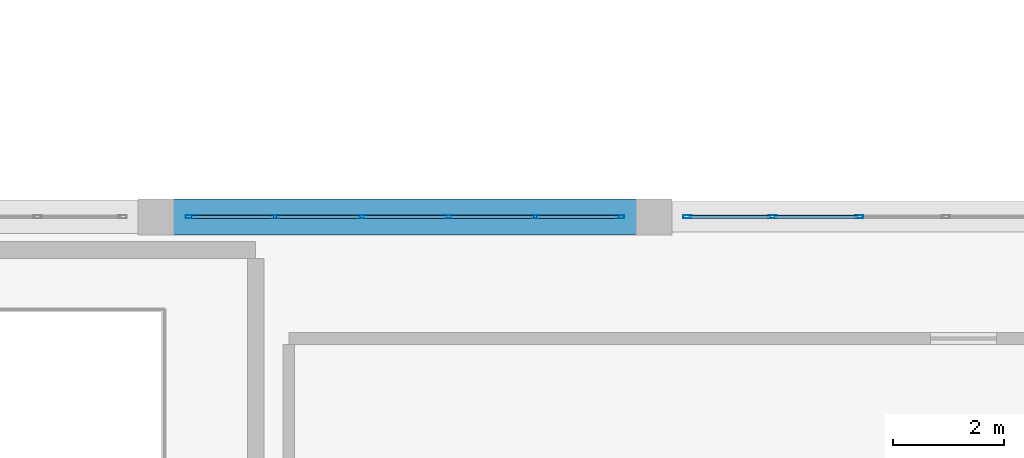
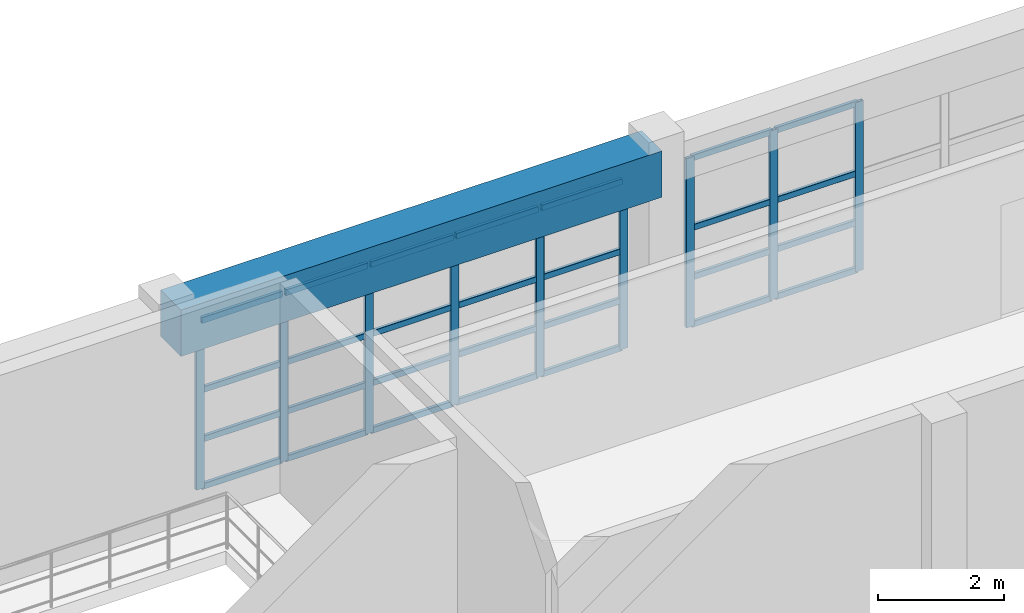
# One storey, part 22 of 130: 37 members, 1 beam, 2 elements without a shape of their own.
"""IFC4 building model written with IfcOpenShell, lengths in metres."""

from ifc_helpers import new_model, si_unit, direction, frame, origin, origin_2d, place, context, subcontext, project, spatial, rectangle, hollow_rectangle, extrude, material, material_profile, profile_set, type_object, element, aggregate, save


model = new_model("IFC4")

# Units and contexts
model_context = context("Model", 3, precision=1e-05, world=origin(), true_north=direction((0.0, 1.0)))
body_context = subcontext(model_context, "Body", "Model", "MODEL_VIEW")
ifc_project = project(units=[si_unit("LENGTHUNIT", "METRE"), si_unit("AREAUNIT", "SQUARE_METRE"), si_unit("VOLUMEUNIT", "CUBIC_METRE"), si_unit("PLANEANGLEUNIT", "RADIAN"), si_unit("MASSUNIT", "GRAM", prefix="KILO")], contexts=[model_context])

# Site, building, storey
site_placement = place(None, origin())
site = spatial("IfcSite", under=ifc_project, at=site_placement, CompositionType="ELEMENT")
building_placement = place(site_placement, origin())
building = spatial("IfcBuilding", under=site, at=building_placement, Name="Miravela Opera House", CompositionType="ELEMENT")
storey_placement = place(building_placement, frame((0.0, 0.0, 9.52001953125)))
storey = spatial("IfcBuildingStorey", under=building, at=storey_placement, Name="L02", CompositionType="ELEMENT", Elevation=9.52001953125)

# Curtain wall, members
ifc_material_1 = material(Name="Anodised architectural bronze aluminium 6063-T6", Category="aluminium")
curtain_wall_type = type_object("IfcCurtainWallType", Name="ARC-CW-06", PredefinedType="NOTDEFINED", material=ifc_material_1)
curtain_wall_1_placement = place(storey_placement, origin())
curtain_wall_1 = element("IfcCurtainWall", 1, at=curtain_wall_1_placement, inside=storey, type_object=curtain_wall_type, Name="Courtyard Arcade Curtain Wall CW-L02-139", PredefinedType="NOTDEFINED")
ifc_material_profile_1 = material_profile(ifc_material_1, hollow_rectangle(XDim=0.06005859375, YDim=0.14990234375, WallThickness=0.00390625, InnerFilletRadius=0.001953125, OuterFilletRadius=0.00390625, at=origin_2d()), Name="CWM-60X150")
ifc_profile_set_1 = profile_set([ifc_material_profile_1])
member_type_1 = type_object("IfcMemberType", Name="ARC-CWM-150", PredefinedType="MULLION", material=ifc_profile_set_1)
member_1_placement = place(storey_placement, frame((36.610107421875, 9.0, 0.0), z_axis=(0.0, 0.0, 1.0), x_axis=(0.0, 1.0, 0.0)))
member_1 = element("IfcMember", 2, at=member_1_placement, type_object=member_type_1, Name="CW-06 mullion 1", PredefinedType="MULLION", context=body_context, shape_type="SweptSolid", body=[
    extrude(hollow_rectangle(XDim=0.06005859375, YDim=0.14990234375, WallThickness=0.00390625, InnerFilletRadius=0.001953125, OuterFilletRadius=0.00390625, at=origin_2d()), origin(), (0.0, 0.0, 1.0), 3.2900390625),
])
member_2_placement = place(storey_placement, frame((38.14794921875, 9.0, 0.0), z_axis=(0.0, 0.0, 1.0), x_axis=(0.0, 1.0, 0.0)))
member_2 = element("IfcMember", 3, at=member_2_placement, type_object=member_type_1, Name="CW-06 mullion 2", PredefinedType="MULLION", context=body_context, shape_type="SweptSolid", body=[
    extrude(hollow_rectangle(XDim=0.06005859375, YDim=0.14990234375, WallThickness=0.00390625, InnerFilletRadius=0.001953125, OuterFilletRadius=0.00390625, at=origin_2d()), origin(), (0.0, 0.0, 1.0), 3.2900390625),
])
member_3_placement = place(storey_placement, frame((39.716064453125, 9.0, 0.0), z_axis=(0.0, 0.0, 1.0), x_axis=(0.0, 1.0, 0.0)))
member_3 = element("IfcMember", 4, at=member_3_placement, type_object=member_type_1, Name="CW-06 mullion 3", PredefinedType="MULLION", context=body_context, shape_type="SweptSolid", body=[
    extrude(hollow_rectangle(XDim=0.06005859375, YDim=0.14990234375, WallThickness=0.00390625, InnerFilletRadius=0.001953125, OuterFilletRadius=0.00390625, at=origin_2d()), origin(), (0.0, 0.0, 1.0), 3.2900390625),
])
member_4_placement = place(storey_placement, frame((41.283935546875, 9.0, 0.0), z_axis=(0.0, 0.0, 1.0), x_axis=(0.0, 1.0, 0.0)))
member_4 = element("IfcMember", 5, at=member_4_placement, type_object=member_type_1, Name="CW-06 mullion 4", PredefinedType="MULLION", context=body_context, shape_type="SweptSolid", body=[
    extrude(hollow_rectangle(XDim=0.06005859375, YDim=0.14990234375, WallThickness=0.00390625, InnerFilletRadius=0.001953125, OuterFilletRadius=0.00390625, at=origin_2d()), origin(), (0.0, 0.0, 1.0), 3.2900390625),
])
member_5_placement = place(storey_placement, frame((42.85205078125, 9.0, 0.0), z_axis=(0.0, 0.0, 1.0), x_axis=(0.0, 1.0, 0.0)))
member_5 = element("IfcMember", 6, at=member_5_placement, type_object=member_type_1, Name="CW-06 mullion 5", PredefinedType="MULLION", context=body_context, shape_type="SweptSolid", body=[
    extrude(hollow_rectangle(XDim=0.06005859375, YDim=0.14990234375, WallThickness=0.00390625, InnerFilletRadius=0.001953125, OuterFilletRadius=0.00390625, at=origin_2d()), origin(), (0.0, 0.0, 1.0), 3.2900390625),
])
member_6_placement = place(storey_placement, frame((44.389892578125, 9.0, 0.0), z_axis=(0.0, 0.0, 1.0), x_axis=(0.0, 1.0, 0.0)))
member_6 = element("IfcMember", 7, at=member_6_placement, type_object=member_type_1, Name="CW-06 mullion 6", PredefinedType="MULLION", context=body_context, shape_type="SweptSolid", body=[
    extrude(hollow_rectangle(XDim=0.06005859375, YDim=0.14990234375, WallThickness=0.00390625, InnerFilletRadius=0.001953125, OuterFilletRadius=0.00390625, at=origin_2d()), origin(), (0.0, 0.0, 1.0), 3.2900390625),
])

curtain_wall_2_placement = place(storey_placement, origin())
curtain_wall_2 = element("IfcCurtainWall", 8, at=curtain_wall_2_placement, inside=storey, type_object=curtain_wall_type, Name="Courtyard Arcade Curtain Wall CW-L02-141", PredefinedType="NOTDEFINED")
member_7_placement = place(storey_placement, frame((45.610107421875, 9.0, 0.0), z_axis=(0.0, 0.0, 1.0), x_axis=(0.0, 1.0, 0.0)))
member_7 = element("IfcMember", 9, at=member_7_placement, type_object=member_type_1, Name="CW-06 mullion 1", PredefinedType="MULLION", context=body_context, shape_type="SweptSolid", body=[
    extrude(hollow_rectangle(XDim=0.06005859375, YDim=0.14990234375, WallThickness=0.00390625, InnerFilletRadius=0.001953125, OuterFilletRadius=0.00390625, at=origin_2d()), origin(), (0.0, 0.0, 1.0), 3.2900390625),
])
member_8_placement = place(storey_placement, frame((47.14794921875, 9.0, 0.0), z_axis=(0.0, 0.0, 1.0), x_axis=(0.0, 1.0, 0.0)))
member_8 = element("IfcMember", 10, at=member_8_placement, type_object=member_type_1, Name="CW-06 mullion 2", PredefinedType="MULLION", context=body_context, shape_type="SweptSolid", body=[
    extrude(hollow_rectangle(XDim=0.06005859375, YDim=0.14990234375, WallThickness=0.00390625, InnerFilletRadius=0.001953125, OuterFilletRadius=0.00390625, at=origin_2d()), origin(), (0.0, 0.0, 1.0), 3.2900390625),
])
member_9_placement = place(storey_placement, frame((48.716064453125, 9.0, 0.0), z_axis=(0.0, 0.0, 1.0), x_axis=(0.0, 1.0, 0.0)))
member_9 = element("IfcMember", 11, at=member_9_placement, type_object=member_type_1, Name="CW-06 mullion 3", PredefinedType="MULLION", context=body_context, shape_type="SweptSolid", body=[
    extrude(hollow_rectangle(XDim=0.06005859375, YDim=0.14990234375, WallThickness=0.00390625, InnerFilletRadius=0.001953125, OuterFilletRadius=0.00390625, at=origin_2d()), origin(), (0.0, 0.0, 1.0), 3.2900390625),
])

# Member
ifc_material_profile_2 = material_profile(ifc_material_1, hollow_rectangle(XDim=0.06005859375, YDim=0.114990234375, WallThickness=0.00390625, InnerFilletRadius=0.001953125, OuterFilletRadius=0.00390625, at=origin_2d()), Name="CWT-60X115")
ifc_profile_set_2 = profile_set([ifc_material_profile_2])
member_type_2 = type_object("IfcMemberType", Name="ARC-CWT-115", PredefinedType="USERDEFINED", material=ifc_profile_set_2)
member_10_placement = place(storey_placement, frame((36.639892578125, 9.0, 0.030029296875), z_axis=(1.0, 0.0, 0.0), x_axis=(0.0, 1.0, 0.0)))
member_10 = element("IfcMember", 12, at=member_10_placement, type_object=member_type_2, Name="CW-06 transom 1.1", ObjectType="TRANSOM", PredefinedType="USERDEFINED", context=body_context, shape_type="SweptSolid", body=[
    extrude(hollow_rectangle(XDim=0.06005859375, YDim=0.114990234375, WallThickness=0.00390625, InnerFilletRadius=0.001953125, OuterFilletRadius=0.00390625, at=origin_2d()), origin(), (0.0, 0.0, 1.0), 1.47802734375),
])

member_11_placement = place(storey_placement, frame((36.639892578125, 9.0, 0.949951171875), z_axis=(1.0, 0.0, 0.0), x_axis=(0.0, 1.0, 0.0)))
member_11 = element("IfcMember", 13, at=member_11_placement, type_object=member_type_2, Name="CW-06 transom 1.2", ObjectType="TRANSOM", PredefinedType="USERDEFINED", context=body_context, shape_type="SweptSolid", body=[
    extrude(hollow_rectangle(XDim=0.06005859375, YDim=0.114990234375, WallThickness=0.00390625, InnerFilletRadius=0.001953125, OuterFilletRadius=0.00390625, at=origin_2d()), origin(), (0.0, 0.0, 1.0), 1.47802734375),
])

member_12_placement = place(storey_placement, frame((36.639892578125, 9.0, 1.908203125), z_axis=(1.0, 0.0, 0.0), x_axis=(0.0, 1.0, 0.0)))
member_12 = element("IfcMember", 14, at=member_12_placement, type_object=member_type_2, Name="CW-06 transom 1.3", ObjectType="TRANSOM", PredefinedType="USERDEFINED", context=body_context, shape_type="SweptSolid", body=[
    extrude(hollow_rectangle(XDim=0.06005859375, YDim=0.114990234375, WallThickness=0.00390625, InnerFilletRadius=0.001953125, OuterFilletRadius=0.00390625, at=origin_2d()), origin(), (0.0, 0.0, 1.0), 1.47802734375),
])

member_13_placement = place(storey_placement, frame((36.639892578125, 9.0, 3.260009765625), z_axis=(1.0, 0.0, 0.0), x_axis=(0.0, 1.0, 0.0)))
member_13 = element("IfcMember", 15, at=member_13_placement, type_object=member_type_2, Name="CW-06 transom 1.4", ObjectType="TRANSOM", PredefinedType="USERDEFINED", context=body_context, shape_type="SweptSolid", body=[
    extrude(hollow_rectangle(XDim=0.06005859375, YDim=0.114990234375, WallThickness=0.00390625, InnerFilletRadius=0.001953125, OuterFilletRadius=0.00390625, at=origin_2d()), origin(), (0.0, 0.0, 1.0), 1.47802734375),
])

member_14_placement = place(storey_placement, frame((38.177978515625, 9.0, 0.030029296875), z_axis=(1.0, 0.0, 0.0), x_axis=(0.0, 1.0, 0.0)))
member_14 = element("IfcMember", 16, at=member_14_placement, type_object=member_type_2, Name="CW-06 transom 2.1", ObjectType="TRANSOM", PredefinedType="USERDEFINED", context=body_context, shape_type="SweptSolid", body=[
    extrude(hollow_rectangle(XDim=0.06005859375, YDim=0.114990234375, WallThickness=0.00390625, InnerFilletRadius=0.001953125, OuterFilletRadius=0.00390625, at=origin_2d()), origin(), (0.0, 0.0, 1.0), 1.508056640625),
])

member_15_placement = place(storey_placement, frame((38.177978515625, 9.0, 0.949951171875), z_axis=(1.0, 0.0, 0.0), x_axis=(0.0, 1.0, 0.0)))
member_15 = element("IfcMember", 17, at=member_15_placement, type_object=member_type_2, Name="CW-06 transom 2.2", ObjectType="TRANSOM", PredefinedType="USERDEFINED", context=body_context, shape_type="SweptSolid", body=[
    extrude(hollow_rectangle(XDim=0.06005859375, YDim=0.114990234375, WallThickness=0.00390625, InnerFilletRadius=0.001953125, OuterFilletRadius=0.00390625, at=origin_2d()), origin(), (0.0, 0.0, 1.0), 1.508056640625),
])

member_16_placement = place(storey_placement, frame((38.177978515625, 9.0, 1.908203125), z_axis=(1.0, 0.0, 0.0), x_axis=(0.0, 1.0, 0.0)))
member_16 = element("IfcMember", 18, at=member_16_placement, type_object=member_type_2, Name="CW-06 transom 2.3", ObjectType="TRANSOM", PredefinedType="USERDEFINED", context=body_context, shape_type="SweptSolid", body=[
    extrude(hollow_rectangle(XDim=0.06005859375, YDim=0.114990234375, WallThickness=0.00390625, InnerFilletRadius=0.001953125, OuterFilletRadius=0.00390625, at=origin_2d()), origin(), (0.0, 0.0, 1.0), 1.508056640625),
])

member_17_placement = place(storey_placement, frame((38.177978515625, 9.0, 3.260009765625), z_axis=(1.0, 0.0, 0.0), x_axis=(0.0, 1.0, 0.0)))
member_17 = element("IfcMember", 19, at=member_17_placement, type_object=member_type_2, Name="CW-06 transom 2.4", ObjectType="TRANSOM", PredefinedType="USERDEFINED", context=body_context, shape_type="SweptSolid", body=[
    extrude(hollow_rectangle(XDim=0.06005859375, YDim=0.114990234375, WallThickness=0.00390625, InnerFilletRadius=0.001953125, OuterFilletRadius=0.00390625, at=origin_2d()), origin(), (0.0, 0.0, 1.0), 1.508056640625),
])

member_18_placement = place(storey_placement, frame((39.74609375, 9.0, 0.030029296875), z_axis=(1.0, 0.0, 0.0), x_axis=(0.0, 1.0, 0.0)))
member_18 = element("IfcMember", 20, at=member_18_placement, type_object=member_type_2, Name="CW-06 transom 3.1", ObjectType="TRANSOM", PredefinedType="USERDEFINED", context=body_context, shape_type="SweptSolid", body=[
    extrude(hollow_rectangle(XDim=0.06005859375, YDim=0.114990234375, WallThickness=0.00390625, InnerFilletRadius=0.001953125, OuterFilletRadius=0.00390625, at=origin_2d()), origin(), (0.0, 0.0, 1.0), 1.5078125),
])

member_19_placement = place(storey_placement, frame((39.74609375, 9.0, 0.949951171875), z_axis=(1.0, 0.0, 0.0), x_axis=(0.0, 1.0, 0.0)))
member_19 = element("IfcMember", 21, at=member_19_placement, type_object=member_type_2, Name="CW-06 transom 3.2", ObjectType="TRANSOM", PredefinedType="USERDEFINED", context=body_context, shape_type="SweptSolid", body=[
    extrude(hollow_rectangle(XDim=0.06005859375, YDim=0.114990234375, WallThickness=0.00390625, InnerFilletRadius=0.001953125, OuterFilletRadius=0.00390625, at=origin_2d()), origin(), (0.0, 0.0, 1.0), 1.5078125),
])

member_20_placement = place(storey_placement, frame((39.74609375, 9.0, 1.908203125), z_axis=(1.0, 0.0, 0.0), x_axis=(0.0, 1.0, 0.0)))
member_20 = element("IfcMember", 22, at=member_20_placement, type_object=member_type_2, Name="CW-06 transom 3.3", ObjectType="TRANSOM", PredefinedType="USERDEFINED", context=body_context, shape_type="SweptSolid", body=[
    extrude(hollow_rectangle(XDim=0.06005859375, YDim=0.114990234375, WallThickness=0.00390625, InnerFilletRadius=0.001953125, OuterFilletRadius=0.00390625, at=origin_2d()), origin(), (0.0, 0.0, 1.0), 1.5078125),
])

member_21_placement = place(storey_placement, frame((39.74609375, 9.0, 3.260009765625), z_axis=(1.0, 0.0, 0.0), x_axis=(0.0, 1.0, 0.0)))
member_21 = element("IfcMember", 23, at=member_21_placement, type_object=member_type_2, Name="CW-06 transom 3.4", ObjectType="TRANSOM", PredefinedType="USERDEFINED", context=body_context, shape_type="SweptSolid", body=[
    extrude(hollow_rectangle(XDim=0.06005859375, YDim=0.114990234375, WallThickness=0.00390625, InnerFilletRadius=0.001953125, OuterFilletRadius=0.00390625, at=origin_2d()), origin(), (0.0, 0.0, 1.0), 1.5078125),
])

member_22_placement = place(storey_placement, frame((41.31396484375, 9.0, 0.030029296875), z_axis=(1.0, 0.0, 0.0), x_axis=(0.0, 1.0, 0.0)))
member_22 = element("IfcMember", 24, at=member_22_placement, type_object=member_type_2, Name="CW-06 transom 4.1", ObjectType="TRANSOM", PredefinedType="USERDEFINED", context=body_context, shape_type="SweptSolid", body=[
    extrude(hollow_rectangle(XDim=0.06005859375, YDim=0.114990234375, WallThickness=0.00390625, InnerFilletRadius=0.001953125, OuterFilletRadius=0.00390625, at=origin_2d()), origin(), (0.0, 0.0, 1.0), 1.508056640625),
])

member_23_placement = place(storey_placement, frame((41.31396484375, 9.0, 0.949951171875), z_axis=(1.0, 0.0, 0.0), x_axis=(0.0, 1.0, 0.0)))
member_23 = element("IfcMember", 25, at=member_23_placement, type_object=member_type_2, Name="CW-06 transom 4.2", ObjectType="TRANSOM", PredefinedType="USERDEFINED", context=body_context, shape_type="SweptSolid", body=[
    extrude(hollow_rectangle(XDim=0.06005859375, YDim=0.114990234375, WallThickness=0.00390625, InnerFilletRadius=0.001953125, OuterFilletRadius=0.00390625, at=origin_2d()), origin(), (0.0, 0.0, 1.0), 1.508056640625),
])

member_24_placement = place(storey_placement, frame((41.31396484375, 9.0, 1.908203125), z_axis=(1.0, 0.0, 0.0), x_axis=(0.0, 1.0, 0.0)))
member_24 = element("IfcMember", 26, at=member_24_placement, type_object=member_type_2, Name="CW-06 transom 4.3", ObjectType="TRANSOM", PredefinedType="USERDEFINED", context=body_context, shape_type="SweptSolid", body=[
    extrude(hollow_rectangle(XDim=0.06005859375, YDim=0.114990234375, WallThickness=0.00390625, InnerFilletRadius=0.001953125, OuterFilletRadius=0.00390625, at=origin_2d()), origin(), (0.0, 0.0, 1.0), 1.508056640625),
])

member_25_placement = place(storey_placement, frame((41.31396484375, 9.0, 3.260009765625), z_axis=(1.0, 0.0, 0.0), x_axis=(0.0, 1.0, 0.0)))
member_25 = element("IfcMember", 27, at=member_25_placement, type_object=member_type_2, Name="CW-06 transom 4.4", ObjectType="TRANSOM", PredefinedType="USERDEFINED", context=body_context, shape_type="SweptSolid", body=[
    extrude(hollow_rectangle(XDim=0.06005859375, YDim=0.114990234375, WallThickness=0.00390625, InnerFilletRadius=0.001953125, OuterFilletRadius=0.00390625, at=origin_2d()), origin(), (0.0, 0.0, 1.0), 1.508056640625),
])

member_26_placement = place(storey_placement, frame((42.882080078125, 9.0, 0.030029296875), z_axis=(1.0, 0.0, 0.0), x_axis=(0.0, 1.0, 0.0)))
member_26 = element("IfcMember", 28, at=member_26_placement, type_object=member_type_2, Name="CW-06 transom 5.1", ObjectType="TRANSOM", PredefinedType="USERDEFINED", context=body_context, shape_type="SweptSolid", body=[
    extrude(hollow_rectangle(XDim=0.06005859375, YDim=0.114990234375, WallThickness=0.00390625, InnerFilletRadius=0.001953125, OuterFilletRadius=0.00390625, at=origin_2d()), origin(), (0.0, 0.0, 1.0), 1.47802734375),
])

member_27_placement = place(storey_placement, frame((42.882080078125, 9.0, 0.949951171875), z_axis=(1.0, 0.0, 0.0), x_axis=(0.0, 1.0, 0.0)))
member_27 = element("IfcMember", 29, at=member_27_placement, type_object=member_type_2, Name="CW-06 transom 5.2", ObjectType="TRANSOM", PredefinedType="USERDEFINED", context=body_context, shape_type="SweptSolid", body=[
    extrude(hollow_rectangle(XDim=0.06005859375, YDim=0.114990234375, WallThickness=0.00390625, InnerFilletRadius=0.001953125, OuterFilletRadius=0.00390625, at=origin_2d()), origin(), (0.0, 0.0, 1.0), 1.47802734375),
])

member_28_placement = place(storey_placement, frame((42.882080078125, 9.0, 1.908203125), z_axis=(1.0, 0.0, 0.0), x_axis=(0.0, 1.0, 0.0)))
member_28 = element("IfcMember", 30, at=member_28_placement, type_object=member_type_2, Name="CW-06 transom 5.3", ObjectType="TRANSOM", PredefinedType="USERDEFINED", context=body_context, shape_type="SweptSolid", body=[
    extrude(hollow_rectangle(XDim=0.06005859375, YDim=0.114990234375, WallThickness=0.00390625, InnerFilletRadius=0.001953125, OuterFilletRadius=0.00390625, at=origin_2d()), origin(), (0.0, 0.0, 1.0), 1.47802734375),
])

member_29_placement = place(storey_placement, frame((42.882080078125, 9.0, 3.260009765625), z_axis=(1.0, 0.0, 0.0), x_axis=(0.0, 1.0, 0.0)))
member_29 = element("IfcMember", 31, at=member_29_placement, type_object=member_type_2, Name="CW-06 transom 5.4", ObjectType="TRANSOM", PredefinedType="USERDEFINED", context=body_context, shape_type="SweptSolid", body=[
    extrude(hollow_rectangle(XDim=0.06005859375, YDim=0.114990234375, WallThickness=0.00390625, InnerFilletRadius=0.001953125, OuterFilletRadius=0.00390625, at=origin_2d()), origin(), (0.0, 0.0, 1.0), 1.47802734375),
])

aggregate(curtain_wall_1, [member_1, member_2, member_3, member_4, member_5, member_6, member_10, member_11, member_12, member_13, member_14, member_15, member_16, member_17, member_18, member_19, member_20, member_21, member_22, member_23, member_24, member_25, member_26, member_27, member_28, member_29])

member_30_placement = place(storey_placement, frame((45.639892578125, 9.0, 0.030029296875), z_axis=(1.0, 0.0, 0.0), x_axis=(0.0, 1.0, 0.0)))
member_30 = element("IfcMember", 32, at=member_30_placement, type_object=member_type_2, Name="CW-06 transom 1.1", ObjectType="TRANSOM", PredefinedType="USERDEFINED", context=body_context, shape_type="SweptSolid", body=[
    extrude(hollow_rectangle(XDim=0.06005859375, YDim=0.114990234375, WallThickness=0.00390625, InnerFilletRadius=0.001953125, OuterFilletRadius=0.00390625, at=origin_2d()), origin(), (0.0, 0.0, 1.0), 1.47802734375),
])

member_31_placement = place(storey_placement, frame((45.639892578125, 9.0, 0.949951171875), z_axis=(1.0, 0.0, 0.0), x_axis=(0.0, 1.0, 0.0)))
member_31 = element("IfcMember", 33, at=member_31_placement, type_object=member_type_2, Name="CW-06 transom 1.2", ObjectType="TRANSOM", PredefinedType="USERDEFINED", context=body_context, shape_type="SweptSolid", body=[
    extrude(hollow_rectangle(XDim=0.06005859375, YDim=0.114990234375, WallThickness=0.00390625, InnerFilletRadius=0.001953125, OuterFilletRadius=0.00390625, at=origin_2d()), origin(), (0.0, 0.0, 1.0), 1.47802734375),
])

member_32_placement = place(storey_placement, frame((45.639892578125, 9.0, 1.908203125), z_axis=(1.0, 0.0, 0.0), x_axis=(0.0, 1.0, 0.0)))
member_32 = element("IfcMember", 34, at=member_32_placement, type_object=member_type_2, Name="CW-06 transom 1.3", ObjectType="TRANSOM", PredefinedType="USERDEFINED", context=body_context, shape_type="SweptSolid", body=[
    extrude(hollow_rectangle(XDim=0.06005859375, YDim=0.114990234375, WallThickness=0.00390625, InnerFilletRadius=0.001953125, OuterFilletRadius=0.00390625, at=origin_2d()), origin(), (0.0, 0.0, 1.0), 1.47802734375),
])

member_33_placement = place(storey_placement, frame((45.639892578125, 9.0, 3.260009765625), z_axis=(1.0, 0.0, 0.0), x_axis=(0.0, 1.0, 0.0)))
member_33 = element("IfcMember", 35, at=member_33_placement, type_object=member_type_2, Name="CW-06 transom 1.4", ObjectType="TRANSOM", PredefinedType="USERDEFINED", context=body_context, shape_type="SweptSolid", body=[
    extrude(hollow_rectangle(XDim=0.06005859375, YDim=0.114990234375, WallThickness=0.00390625, InnerFilletRadius=0.001953125, OuterFilletRadius=0.00390625, at=origin_2d()), origin(), (0.0, 0.0, 1.0), 1.47802734375),
])

member_34_placement = place(storey_placement, frame((47.177978515625, 9.0, 0.030029296875), z_axis=(1.0, 0.0, 0.0), x_axis=(0.0, 1.0, 0.0)))
member_34 = element("IfcMember", 36, at=member_34_placement, type_object=member_type_2, Name="CW-06 transom 2.1", ObjectType="TRANSOM", PredefinedType="USERDEFINED", context=body_context, shape_type="SweptSolid", body=[
    extrude(hollow_rectangle(XDim=0.06005859375, YDim=0.114990234375, WallThickness=0.00390625, InnerFilletRadius=0.001953125, OuterFilletRadius=0.00390625, at=origin_2d()), origin(), (0.0, 0.0, 1.0), 1.508056640625),
])

member_35_placement = place(storey_placement, frame((47.177978515625, 9.0, 0.949951171875), z_axis=(1.0, 0.0, 0.0), x_axis=(0.0, 1.0, 0.0)))
member_35 = element("IfcMember", 37, at=member_35_placement, type_object=member_type_2, Name="CW-06 transom 2.2", ObjectType="TRANSOM", PredefinedType="USERDEFINED", context=body_context, shape_type="SweptSolid", body=[
    extrude(hollow_rectangle(XDim=0.06005859375, YDim=0.114990234375, WallThickness=0.00390625, InnerFilletRadius=0.001953125, OuterFilletRadius=0.00390625, at=origin_2d()), origin(), (0.0, 0.0, 1.0), 1.508056640625),
])

member_36_placement = place(storey_placement, frame((47.177978515625, 9.0, 1.908203125), z_axis=(1.0, 0.0, 0.0), x_axis=(0.0, 1.0, 0.0)))
member_36 = element("IfcMember", 38, at=member_36_placement, type_object=member_type_2, Name="CW-06 transom 2.3", ObjectType="TRANSOM", PredefinedType="USERDEFINED", context=body_context, shape_type="SweptSolid", body=[
    extrude(hollow_rectangle(XDim=0.06005859375, YDim=0.114990234375, WallThickness=0.00390625, InnerFilletRadius=0.001953125, OuterFilletRadius=0.00390625, at=origin_2d()), origin(), (0.0, 0.0, 1.0), 1.508056640625),
])

member_37_placement = place(storey_placement, frame((47.177978515625, 9.0, 3.260009765625), z_axis=(1.0, 0.0, 0.0), x_axis=(0.0, 1.0, 0.0)))
member_37 = element("IfcMember", 39, at=member_37_placement, type_object=member_type_2, Name="CW-06 transom 2.4", ObjectType="TRANSOM", PredefinedType="USERDEFINED", context=body_context, shape_type="SweptSolid", body=[
    extrude(hollow_rectangle(XDim=0.06005859375, YDim=0.114990234375, WallThickness=0.00390625, InnerFilletRadius=0.001953125, OuterFilletRadius=0.00390625, at=origin_2d()), origin(), (0.0, 0.0, 1.0), 1.508056640625),
])

aggregate(curtain_wall_2, [member_7, member_8, member_9, member_30, member_31, member_32, member_33, member_34, member_35, member_36, member_37])

# Beam
ifc_material_2 = material(Name="Concrete C40/50", Category="concrete")
ifc_material_profile_3 = material_profile(ifc_material_2, rectangle(XDim=0.64990234375, YDim=0.89990234375, at=origin_2d()), Name="RC-BM-650X900")
ifc_profile_set_3 = profile_set([ifc_material_profile_3])
beam_type = type_object("IfcBeamType", Name="STR-BM-RC650X900", PredefinedType="BEAM", material=ifc_profile_set_3)
beam_placement = place(storey_placement, frame((36.080078125, 9.0, 3.389892578125), z_axis=(1.0, 0.0, 0.0), x_axis=(0.0, 1.0, 0.0)))
element("IfcBeam", 40, at=beam_placement, inside=storey, type_object=beam_type, Name="Floor Girder L02 5-6/B", PredefinedType="BEAM", context=body_context, shape_type="SweptSolid", body=[
    extrude(rectangle(XDim=0.64990234375, YDim=0.89990234375, at=origin_2d()), origin(), (0.0, 0.0, 1.0), 8.83984375),
])

save(model, "model.ifc")
